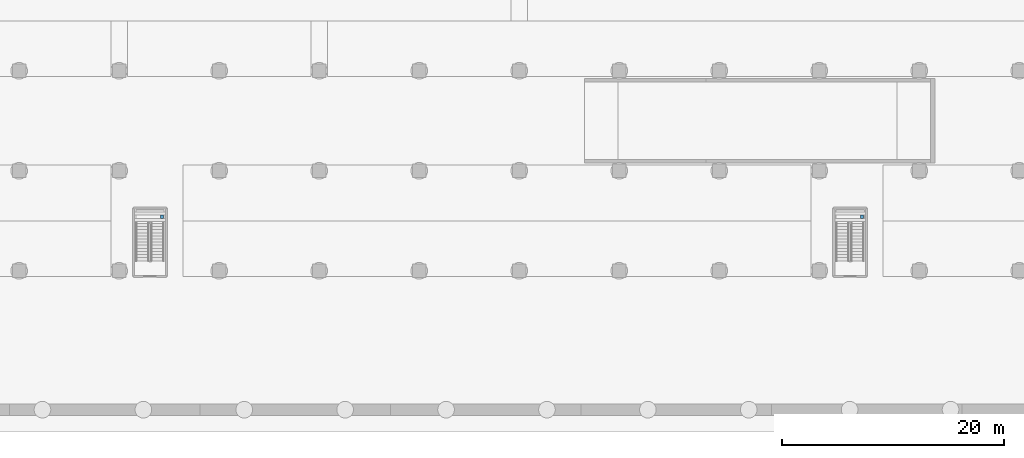
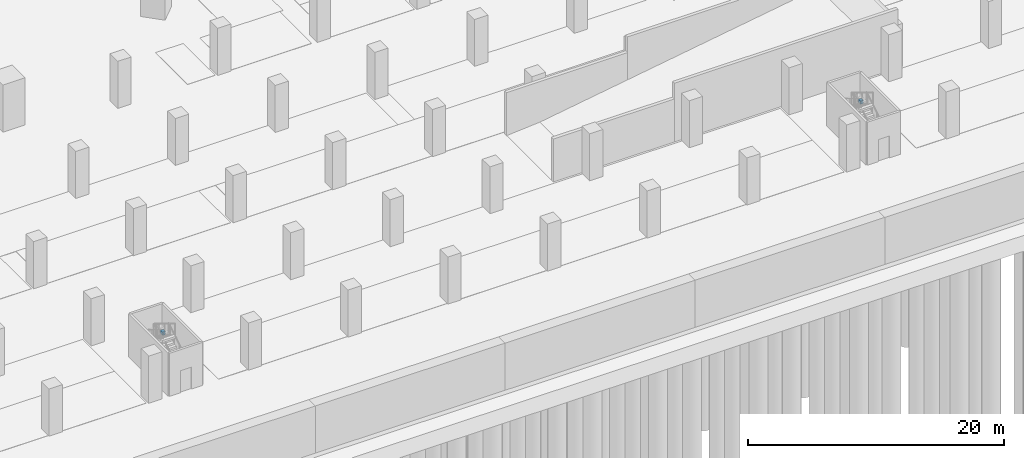
# One storey, part 8 of 39: 2 beams.
"""IFC4 building model written with IfcOpenShell, lengths in metres."""

from ifc_helpers import new_model, si_unit, direction, frame, origin, origin_2d, place, context, subcontext, project, spatial, rectangle, extrude, material, material_profile, profile_set, type_object, element, save


model = new_model("IFC4")

# Units and contexts
model_context = context("Model", 3, precision=1e-05, world=origin(), true_north=direction((0.0, 1.0)))
body_context = subcontext(model_context, "Body", "Model", "MODEL_VIEW")
ifc_project = project(units=[si_unit("LENGTHUNIT", "METRE"), si_unit("AREAUNIT", "SQUARE_METRE"), si_unit("VOLUMEUNIT", "CUBIC_METRE"), si_unit("PLANEANGLEUNIT", "RADIAN"), si_unit("MASSUNIT", "GRAM", prefix="KILO")], contexts=[model_context])

# Site, building, storey
site_placement = place(None, origin())
site = spatial("IfcSite", under=ifc_project, at=site_placement, CompositionType="ELEMENT")
building_placement = place(site_placement, origin())
building = spatial("IfcBuilding", under=site, at=building_placement, Name="Ogive Gate Towers", CompositionType="ELEMENT")
storey_placement = place(building_placement, frame((0.0, 0.0, -9.0)))
storey = spatial("IfcBuildingStorey", under=building, at=storey_placement, Name="B2", CompositionType="ELEMENT", Elevation=-9.0)

# Beams
ifc_material = material(Name="Concrete C40/50", Category="concrete")
ifc_material_profile = material_profile(ifc_material, rectangle(XDim=0.25, YDim=0.300048828125, at=origin_2d()), Name="RC 250x300")
ifc_profile_set = profile_set([ifc_material_profile], Name="Concrete C40/50")
beam_type = type_object("IfcBeamType", Name="Landing bearer RC 250x300 (stair)", PredefinedType="BEAM", material=ifc_profile_set)
for number, where, z_axis, x_axis, name in (
    (1, (30.85009765625, -58.31494140625, 1.89990234375), (0.0, 1.0, 0.0), (-1.0, 0.0, 0.0), "CS7 B2 landing 1 bearer 3"),
    (2, (93.85009765625, -58.31494140625, 1.89990234375), (0.0, 1.0, 0.0), (-1.0, 0.0, 0.0), "CS8 B2 landing 1 bearer 3"),
):
    element("IfcBeam", number, at=place(storey_placement, frame(where, z_axis=z_axis, x_axis=x_axis)), inside=storey, type_object=beam_type, Name=name, PredefinedType="BEAM", context=body_context, shape_type="SweptSolid", body=[
        extrude(rectangle(XDim=0.25, YDim=0.300048828125, at=origin_2d()), origin(), (0.0, 0.0, 1.0), 0.349853515625),
    ])

save(model, "model.ifc")
